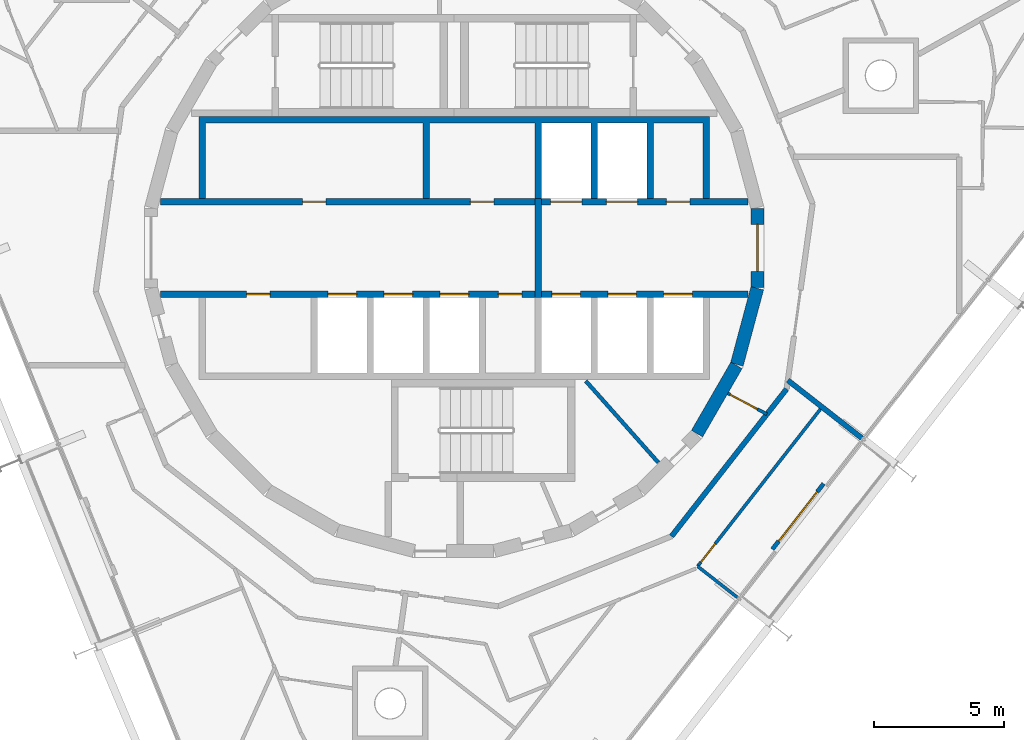
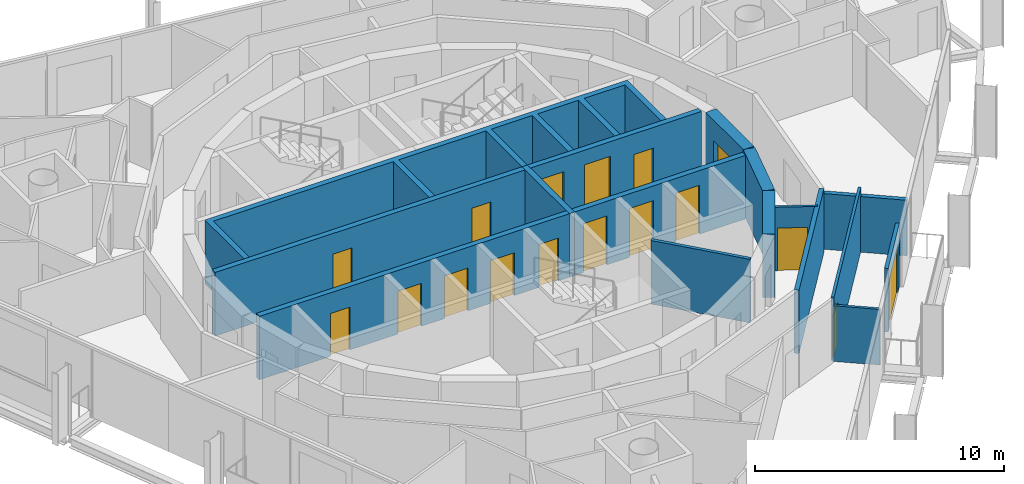
# One storey, part 11 of 15: 17 doors, 16 walls, 17 openings.
"""IFC4 building model written with IfcOpenShell, lengths in metres."""

import ifcopenshell
import ifcopenshell.guid

model = None  # the IFC model being written
_history = None  # IfcOwnerHistory: only IFC2X3 demands one
_inside = {}  # id of a spatial element -> (the spatial element, [elements in it])
_under = {}  # id of a project, library or spatial element -> (it, [spatial elements below it])
_declared = {}  # id of a project -> (the project, [libraries it declares])
_typed = {}  # id of a type object -> (the type object, [elements of that type])
_made_of = {}  # id of a material, layer set ... -> (it, [elements and type objects made of it])


def new_model(schema):
    """Start an empty IFC model of exactly this schema.

    Asked for "IFC4X3", IfcOpenShell would pick the latest addendum, in which some entities
    have other attributes; the version numbers below select the first issue.
    IFC2X3 requires an IfcOwnerHistory on every rooted entity: one is made here for all.
    """
    global model, _history
    if schema == "IFC4X3":
        model = ifcopenshell.file(schema_version=(4, 3, 0, 0))
    else:
        model = ifcopenshell.file(schema=schema)
    _inside.clear()
    _under.clear()
    _declared.clear()
    _typed.clear()
    _made_of.clear()
    _history = None
    if model.schema == "IFC2X3":
        org = make("IfcOrganization", Name="unknown")
        user = make(
            "IfcPersonAndOrganization",
            ThePerson=make("IfcPerson", FamilyName="unknown"),
            TheOrganization=org,
        )
        app = make(
            "IfcApplication",
            ApplicationDeveloper=org,
            Version="unknown",
            ApplicationFullName="unknown",
            ApplicationIdentifier="unknown",
        )
        _history = make(
            "IfcOwnerHistory",
            OwningUser=user,
            OwningApplication=app,
            ChangeAction="ADDED",
            CreationDate=0,
        )
    return model


def make(cls, **values):
    """One entity of the class cls with the attributes given. An attribute that is None is left unset."""
    return model.create_entity(
        cls, **{name: value for name, value in values.items() if value is not None}
    )


def rooted(cls, **values):
    """An entity with a GlobalId (a new one), such as an element, a storey or a relation."""
    return make(cls, GlobalId=ifcopenshell.guid.new(), OwnerHistory=_history, **values)


def si_unit(unit_type, name, prefix=None):
    """IfcSIUnit, for example si_unit("LENGTHUNIT", "METRE", prefix="MILLI")."""
    return make("IfcSIUnit", UnitType=unit_type, Prefix=prefix, Name=name)


def assignment(units):
    """IfcUnitAssignment: the units of a project."""
    return None if units is None else make("IfcUnitAssignment", Units=units)


def point(xyz):
    """IfcCartesianPoint."""
    return None if xyz is None else make("IfcCartesianPoint", Coordinates=xyz)


def direction(xyz):
    """IfcDirection."""
    return None if xyz is None else make("IfcDirection", DirectionRatios=xyz)


def frame(location, z_axis=None, x_axis=None):
    """IfcAxis2Placement3D, a coordinate frame: its origin and axes. An axis left out is left unset."""
    return make(
        "IfcAxis2Placement3D",
        Location=point(location),
        Axis=direction(z_axis),
        RefDirection=direction(x_axis),
    )


def frame_2d(location, x_axis=None):
    """IfcAxis2Placement2D, a coordinate frame in the plane: its origin and x axis."""
    return make(
        "IfcAxis2Placement2D", Location=point(location), RefDirection=direction(x_axis)
    )


def origin():
    """The frame at (0, 0, 0) with its axes left unset."""
    return frame((0.0, 0.0, 0.0))


def place(relative_to, where):
    """IfcLocalPlacement: puts the frame where relative to a parent placement (None: the world)."""
    return make(
        "IfcLocalPlacement", PlacementRelTo=relative_to, RelativePlacement=where
    )


def context(
    kind, dimensions, precision=None, world=None, true_north=None, identifier=None
):
    """IfcGeometricRepresentationContext, for example the 3D "Model" context."""
    return make(
        "IfcGeometricRepresentationContext",
        ContextIdentifier=identifier,
        ContextType=kind,
        CoordinateSpaceDimension=dimensions,
        Precision=precision,
        WorldCoordinateSystem=world,
        TrueNorth=true_north,
    )


def subcontext(parent, identifier, kind, view, scale=None):
    """IfcGeometricRepresentationSubContext, for example "Body" below "Model"."""
    return make(
        "IfcGeometricRepresentationSubContext",
        ContextIdentifier=identifier,
        ContextType=kind,
        ParentContext=parent,
        TargetScale=scale,
        TargetView=view,
    )


def project(units=None, contexts=None):
    """IfcProject with its units and contexts."""
    return rooted(
        "IfcProject",
        Name="project",
        RepresentationContexts=contexts,
        UnitsInContext=assignment(units),
    )


def spatial(cls, under=None, at=None, **own):
    """A site, building, storey or space (cls), placed at a placement, below another one or the project."""
    s = rooted(cls, ObjectPlacement=at, **own)
    if under is not None:
        _under.setdefault(under.id(), (under, []))[1].append(s)
    return s


def polyline(points):
    """IfcPolyline through the points."""
    return make("IfcPolyline", Points=[point(p) for p in points])


def profile(cls, at=None, kind="AREA", **sizes):
    """A parametric profile (cls). Its sizes go by their IFC names, for example OverallWidth=200.0."""
    return make(cls, ProfileType=kind, Position=at, **sizes)


def rectangle(**sizes):
    """IfcRectangleProfileDef."""
    return profile("IfcRectangleProfileDef", **sizes)


def outline(outer, holes=None, kind="AREA"):
    """IfcArbitraryClosedProfileDef: a profile drawn as a closed curve; with holes, ...WithVoids."""
    if holes is None:
        return make("IfcArbitraryClosedProfileDef", ProfileType=kind, OuterCurve=outer)
    return make(
        "IfcArbitraryProfileDefWithVoids",
        ProfileType=kind,
        OuterCurve=outer,
        InnerCurves=holes,
    )


def extrude(swept, where, along, depth):
    """IfcExtrudedAreaSolid: the profile swept, set in the frame where, extruded along a direction by depth."""
    return make(
        "IfcExtrudedAreaSolid",
        SweptArea=swept,
        Position=where,
        ExtrudedDirection=direction(along),
        Depth=depth,
    )


def shape(context_of_items, identifier, shape_type, items):
    """IfcShapeRepresentation: the items that make up one representation, for example the "Body"."""
    return make(
        "IfcShapeRepresentation",
        ContextOfItems=context_of_items,
        RepresentationIdentifier=identifier,
        RepresentationType=shape_type,
        Items=items,
    )


def material(Name=None, Category=None):
    """IfcMaterial."""
    return make("IfcMaterial", Name=Name, Category=Category)


def layer(
    of_material, thickness, ventilated=None, Name=None, Category=None, Priority=None
):
    """IfcMaterialLayer: one layer of a wall or slab, of a material (None: an air gap)."""
    return make(
        "IfcMaterialLayer",
        Material=of_material,
        LayerThickness=thickness,
        IsVentilated=ventilated,
        Name=Name,
        Category=Category,
        Priority=Priority,
    )


def layer_set(layers, Name=None):
    """IfcMaterialLayerSet."""
    return make("IfcMaterialLayerSet", MaterialLayers=layers, LayerSetName=Name)


def made_of(thing, what):
    """Note that an element or type object is made of a material, layer set ...; save() writes the relation."""
    if what is not None:
        _made_of.setdefault(what.id(), (what, []))[1].append(thing)
    return thing


def type_object(cls, material=None, **own):
    """A type object (cls), such as IfcWallType, which elements share."""
    return made_of(rooted(cls, **own), material)


def element(
    cls,
    number,
    at=None,
    inside=None,
    cuts=None,
    type_object=None,
    material=None,
    context=None,
    identifier="Body",
    shape_type=None,
    held_by="IfcProductDefinitionShape",
    body=None,
    shapes=None,
    **own,
):
    """One element of the class cls, such as IfcWall. Its Tag is "e" and its number.

    at: its placement. inside: the storey or other place that contains it. cuts: it is an
    opening in that element (IfcRelVoidsElement). A single representation is given by context,
    identifier, shape_type and body (its items); several are given by shapes. held_by: the class
    of the entity that holds the representations. save() writes the other relations.
    """
    e = rooted(cls, Tag="e%d" % number, ObjectPlacement=at, **own)
    if body is not None:
        shapes = [shape(context, identifier, shape_type, body)]
    if shapes is not None:
        e.Representation = make(held_by, Representations=shapes)
    if inside is not None:
        _inside.setdefault(inside.id(), (inside, []))[1].append(e)
    if cuts is not None:
        rooted(
            "IfcRelVoidsElement", RelatingBuildingElement=cuts, RelatedOpeningElement=e
        )
    if type_object is not None:
        _typed.setdefault(type_object.id(), (type_object, []))[1].append(e)
    return made_of(e, material)


def fill(opening, filler):
    """IfcRelFillsElement: the door or window that sits in an opening."""
    return rooted(
        "IfcRelFillsElement",
        RelatingOpeningElement=opening,
        RelatedBuildingElement=filler,
    )


def aggregate(whole, parts):
    """IfcRelAggregates: a whole, such as a stair, and the parts it consists of."""
    return rooted("IfcRelAggregates", RelatingObject=whole, RelatedObjects=parts)


def save(model, path):
    """Write the relations noted so far, then the file.

    IfcRelAggregates (storeys below a building ...), IfcRelContainedInSpatialStructure (elements
    in a storey), IfcRelDefinesByType, IfcRelAssociatesMaterial and IfcRelDeclares: one each for
    every whole, place, type object, material and project.
    """
    for whole, parts in _under.values():
        aggregate(whole, parts)
    for where, things in _inside.values():
        rooted(
            "IfcRelContainedInSpatialStructure",
            RelatedElements=things,
            RelatingStructure=where,
        )
    for kind, things in _typed.values():
        rooted("IfcRelDefinesByType", RelatedObjects=things, RelatingType=kind)
    for what, things in _made_of.values():
        rooted("IfcRelAssociatesMaterial", RelatedObjects=things, RelatingMaterial=what)
    for by, libraries in _declared.values():
        rooted("IfcRelDeclares", RelatingContext=by, RelatedDefinitions=libraries)
    model.write(path)


model = new_model("IFC4")

# Units and contexts
model_context = context("Model", 3, precision=1e-05, world=origin(), true_north=direction((0.0, 1.0)))
body_context = subcontext(model_context, "Body", "Model", "MODEL_VIEW")
ifc_project = project(units=[si_unit("LENGTHUNIT", "METRE"), si_unit("AREAUNIT", "SQUARE_METRE"), si_unit("VOLUMEUNIT", "CUBIC_METRE"), si_unit("PLANEANGLEUNIT", "RADIAN"), si_unit("MASSUNIT", "GRAM", prefix="KILO")], contexts=[model_context])

# Site, building, storey
site_placement = place(None, origin())
site = spatial("IfcSite", under=ifc_project, at=site_placement, CompositionType="ELEMENT")
building_placement = place(site_placement, origin())
building = spatial("IfcBuilding", under=site, at=building_placement, Name="Spindle Arch Residences", CompositionType="ELEMENT")
storey_placement = place(building_placement, frame((0.0, 0.0, 350.5)))
storey = spatial("IfcBuildingStorey", under=building, at=storey_placement, Name="L90", CompositionType="ELEMENT", Elevation=350.5)

# Walls
ifc_material_1 = material(Name="Concrete C50/60", Category="concrete")
ifc_layer_1 = layer(ifc_material_1, 0.5)
ifc_layer_set_1 = layer_set([ifc_layer_1], Name="Core outline wall 500")
wall_type_1 = type_object("IfcWallType", Name="Core outline wall 500", PredefinedType="SHEAR", material=ifc_layer_set_1)
for number, where, z_axis, x_axis, name in (
    (1, (9.32861328125, -7.13671875, 0.0), (0.0, 0.0, 1.0), (0.500087131594, 0.865975092491, 0.0), "Core outline wall 4"),
    (2, (10.858154296875, -4.479248046875, 0.0), (0.0, 0.0, 1.0), (0.258734743916, 0.965948410781, 0.0), "Core outline wall 5"),
):
    element("IfcWall", number, at=place(storey_placement, frame(where, z_axis=z_axis, x_axis=x_axis)), inside=storey, type_object=wall_type_1, Name=name, PredefinedType="SHEAR", context=body_context, shape_type="SweptSolid", body=[
        extrude(rectangle(XDim=3.03271484375, YDim=0.5, at=frame_2d((1.516357421875, 0.0))), origin(), (0.0, 0.0, 1.0), 3.1201171875),
    ])

# Wall, opening, door
wall_1_placement = place(storey_placement, frame((11.647216796875, -1.516357421875, 0.0), z_axis=(0.0, 0.0, 1.0), x_axis=(0.0, 1.0, 0.0)))
wall_1 = element("IfcWall", 3, at=wall_1_placement, inside=storey, type_object=wall_type_1, Name="Core outline wall 6", PredefinedType="SHEAR", context=body_context, shape_type="SweptSolid", body=[
    extrude(rectangle(XDim=3.03271484375, YDim=0.5, at=frame_2d((1.516357421875, 0.0))), origin(), (0.0, 0.0, 1.0), 3.1201171875),
])
opening_1_placement = place(wall_1_placement, frame((0.6162109375, 0.0, 0.0)))
opening_1 = element("IfcOpeningElement", 4, at=opening_1_placement, cuts=wall_1, Name="Opening R9B1-FE01", PredefinedType="OPENING", context=body_context, shape_type="SweptSolid", body=[
    extrude(rectangle(XDim=1.800048828125, YDim=2.10009765625, at=frame_2d((0.89990234375, 1.050048828125))), frame((0.0, 0.260009765625, 0.0), z_axis=(0.0, -1.0, 0.0), x_axis=(1.0, 0.0, 0.0)), (0.0, 0.0, 1.0), 0.52001953125),
])
ifc_material_2 = material(Name="Steel, fire-resisting door", Category="steel")
door_type_1 = type_object("IfcDoorType", Name="Fire-lift lobby door 1800x2100", OperationType="DOUBLE_DOOR_SINGLE_SWING", PredefinedType="DOOR", material=ifc_material_2)
door_1_placement = place(opening_1_placement, origin())
door_1 = element("IfcDoor", 5, at=door_1_placement, inside=storey, type_object=door_type_1, Name="Fire-lift lobby door R9B1-FE01", OperationType="DOUBLE_DOOR_SINGLE_SWING", OverallHeight=2.10009765625, OverallWidth=1.800048828125, PredefinedType="DOOR", context=body_context, shape_type="SweptSolid", body=[
    extrude(rectangle(XDim=1.800048828125, YDim=2.10009765625, at=frame_2d((0.89990234375, 1.050048828125))), frame((0.0, 0.02490234375, 0.0), z_axis=(0.0, -1.0, 0.0), x_axis=(1.0, 0.0, 0.0)), (0.0, 0.0, 1.0), 0.050048828125),
])
fill(opening_1, door_1)

ifc_material_3 = material(Name="Plasterboard on steel studs", Category="steel")
ifc_layer_2 = layer(ifc_material_3, 0.1201171875)
ifc_layer_set_2 = layer_set([ifc_layer_2], Name="Corridor division wall 120")
wall_type_2 = type_object("IfcWallType", Name="Corridor division wall 120", PredefinedType="PARTITIONING", material=ifc_layer_set_2)
wall_2_placement = place(storey_placement, frame((10.510986328125, -5.5888671875, 0.0), z_axis=(0.0, 0.0, 1.0), x_axis=(0.882959677414, -0.469448834337, 0.0)))
wall_2 = element("IfcWall", 6, at=wall_2_placement, inside=storey, type_object=wall_type_2, Name="Corridor division wall R9B1-W002", PredefinedType="PARTITIONING", context=body_context, shape_type="SweptSolid", body=[
    extrude(rectangle(XDim=1.7021484375, YDim=0.1201171875, at=frame_2d((0.85107421875, 0.0))), origin(), (0.0, 0.0, 1.0), 3.1201171875),
])
opening_2_placement = place(wall_2_placement, frame((0.10009765625, 0.0, 0.0)))
opening_2 = element("IfcOpeningElement", 7, at=opening_2_placement, cuts=wall_2, Name="Opening R9B1-CD02", PredefinedType="OPENING", context=body_context, shape_type="SweptSolid", body=[
    extrude(rectangle(XDim=1.199951171875, YDim=2.10009765625, at=frame_2d((0.60009765625, 1.050048828125))), frame((0.0, 0.070068359375, 0.0), z_axis=(0.0, -1.0, 0.0), x_axis=(1.0, 0.0, 0.0)), (0.0, 0.0, 1.0), 0.14013671875),
])
ifc_material_4 = material(Name="Steel, fire-resisting door", Category="steel")
door_type_2 = type_object("IfcDoorType", Name="Corridor division door 1200x2100", OperationType="NOTDEFINED", PredefinedType="DOOR", material=ifc_material_4)
door_2_placement = place(opening_2_placement, origin())
door_2 = element("IfcDoor", 8, at=door_2_placement, inside=storey, type_object=door_type_2, Name="Corridor division door R9B1-CD02", OperationType="DOUBLE_DOOR_SINGLE_SWING", OverallHeight=2.10009765625, OverallWidth=1.199951171875, PredefinedType="DOOR", context=body_context, shape_type="SweptSolid", body=[
    extrude(rectangle(XDim=1.199951171875, YDim=2.10009765625, at=frame_2d((0.60009765625, 1.050048828125))), frame((0.0, 0.02490234375, 0.0), z_axis=(0.0, -1.0, 0.0), x_axis=(1.0, 0.0, 0.0)), (0.0, 0.0, 1.0), 0.050048828125),
])
fill(opening_2, door_2)

# Walls
ifc_material_5 = material(Name="Calcium silicate block, plastered")
ifc_layer_3 = layer(ifc_material_5, 0.199951171875)
ifc_layer_set_3 = layer_set([ifc_layer_3], Name="Corridor wall 200")
wall_type_3 = type_object("IfcWallType", Name="Corridor wall 200", PredefinedType="STANDARD", material=ifc_layer_set_3)
wall_3_placement = place(storey_placement, frame((8.348876953125, -11.0791015625, 0.0), z_axis=(0.0, 0.0, 1.0), x_axis=(0.615669112324, 0.78800478687, 0.0)))
element("IfcWall", 9, at=wall_3_placement, inside=storey, type_object=wall_type_3, Name="Corridor wall R9B1-W008", PredefinedType="STANDARD", context=body_context, shape_type="SweptSolid", body=[
    extrude(rectangle(XDim=7.18115234375, YDim=0.199951171875, at=frame_2d((3.590576171875, 0.0))), origin(), (0.0, 0.0, 1.0), 3.1201171875),
])
ifc_material_6 = material(Name="Calcium silicate block, plastered")
ifc_layer_4 = layer(ifc_material_6, 0.199951171875)
ifc_layer_set_4 = layer_set([ifc_layer_4], Name="Fire-lift lobby bay wall 200 under beam 2730")
wall_type_4 = type_object("IfcWallType", Name="Fire-lift lobby bay wall 200 under beam 2730", PredefinedType="STANDARD", material=ifc_layer_set_4)
wall_4_placement = place(storey_placement, frame((12.81689453125, -5.086181640625, 0.0), z_axis=(0.0, 0.0, 1.0), x_axis=(0.787994616725, -0.615682129034, 0.0)))
element("IfcWall", 10, at=wall_4_placement, inside=storey, type_object=wall_type_4, Name="Fire-lift lobby bay wall R9B1-W021", PredefinedType="STANDARD", context=body_context, shape_type="SweptSolid", body=[
    extrude(rectangle(XDim=3.607177734375, YDim=0.199951171875, at=frame_2d((1.8037109375, 0.0))), origin(), (0.0, 0.0, 1.0), 2.72998046875),
])

# Wall, openings, doors
ifc_material_7 = material(Name="Concrete C40/50", Category="concrete")
ifc_layer_5 = layer(ifc_material_7, 0.25)
ifc_layer_set_5 = layer_set([ifc_layer_5], Name="Fire-lift lobby wall 250")
wall_type_5 = type_object("IfcWallType", Name="Fire-lift lobby wall 250", PredefinedType="SHEAR", material=ifc_layer_set_5)
wall_5_placement = place(storey_placement, frame((3.35009765625, 1.77490234375, 0.0), z_axis=(0.0, 0.0, 1.0), x_axis=(1.0, 0.0, 0.0)))
wall_5 = element("IfcWall", 11, at=wall_5_placement, inside=storey, type_object=wall_type_5, Name="Lift shaft front wall NE", PredefinedType="SHEAR", context=body_context, shape_type="SweptSolid", body=[
    extrude(rectangle(XDim=7.929931640625, YDim=0.25, at=frame_2d((3.96484375, 0.0))), origin(), (0.0, 0.0, 1.0), 3.1201171875),
])
opening_3_placement = place(wall_5_placement, frame((0.35009765625, 0.0, 0.0)))
opening_3 = element("IfcOpeningElement", 12, at=opening_3_placement, cuts=wall_5, Name="Opening R9B1-SLD01", PredefinedType="OPENING", context=body_context, shape_type="SweptSolid", body=[
    extrude(rectangle(XDim=1.199951171875, YDim=2.39990234375, at=frame_2d((0.60009765625, 1.199951171875))), frame((0.0, 0.135009765625, 0.0), z_axis=(0.0, -1.0, 0.0), x_axis=(1.0, 0.0, 0.0)), (0.0, 0.0, 1.0), 0.27001953125),
])
opening_4_placement = place(wall_5_placement, frame((2.5, 0.0, 0.0)))
opening_4 = element("IfcOpeningElement", 13, at=opening_4_placement, cuts=wall_5, Name="Opening R9B1-SLD02", PredefinedType="OPENING", context=body_context, shape_type="SweptSolid", body=[
    extrude(rectangle(XDim=1.199951171875, YDim=2.39990234375, at=frame_2d((0.60009765625, 1.199951171875))), frame((0.0, 0.135009765625, 0.0), z_axis=(0.0, -1.0, 0.0), x_axis=(1.0, 0.0, 0.0)), (0.0, 0.0, 1.0), 0.27001953125),
])
opening_5_placement = place(wall_5_placement, frame((4.800048828125, 0.0, 0.0)))
opening_5 = element("IfcOpeningElement", 14, at=opening_5_placement, cuts=wall_5, Name="Opening R9B1-WD03", PredefinedType="OPENING", context=body_context, shape_type="SweptSolid", body=[
    extrude(rectangle(XDim=0.89990234375, YDim=2.10009765625, at=frame_2d((0.449951171875, 1.050048828125))), frame((0.0, 0.135009765625, 0.0), z_axis=(0.0, -1.0, 0.0), x_axis=(1.0, 0.0, 0.0)), (0.0, 0.0, 1.0), 0.27001953125),
])
ifc_material_8 = material(Name="Steel, fire-resisting landing door", Category="steel")
door_type_3 = type_object("IfcDoorType", Name="Service lift landing door 1200x2400", OperationType="DOUBLE_DOOR_SLIDING", PredefinedType="DOOR", material=ifc_material_8)
door_3_placement = place(opening_3_placement, origin())
door_3 = element("IfcDoor", 15, at=door_3_placement, inside=storey, type_object=door_type_3, Name="Service lift landing door R9B1-SLD01", OperationType="DOUBLE_DOOR_SLIDING", OverallHeight=2.39990234375, OverallWidth=1.199951171875, PredefinedType="DOOR", context=body_context, shape_type="SweptSolid", body=[
    extrude(rectangle(XDim=1.199951171875, YDim=2.39990234375, at=frame_2d((0.60009765625, 1.199951171875))), frame((0.0, 0.02490234375, 0.0), z_axis=(0.0, -1.0, 0.0), x_axis=(1.0, 0.0, 0.0)), (0.0, 0.0, 1.0), 0.050048828125),
])
fill(opening_3, door_3)
door_4_placement = place(opening_4_placement, origin())
door_4 = element("IfcDoor", 16, at=door_4_placement, inside=storey, type_object=door_type_3, Name="Service lift landing door R9B1-SLD02", OperationType="DOUBLE_DOOR_SLIDING", OverallHeight=2.39990234375, OverallWidth=1.199951171875, PredefinedType="DOOR", context=body_context, shape_type="SweptSolid", body=[
    extrude(rectangle(XDim=1.199951171875, YDim=2.39990234375, at=frame_2d((0.60009765625, 1.199951171875))), frame((0.0, 0.02490234375, 0.0), z_axis=(0.0, -1.0, 0.0), x_axis=(1.0, 0.0, 0.0)), (0.0, 0.0, 1.0), 0.050048828125),
])
fill(opening_4, door_4)
ifc_material_9 = material(Name="Steel, fire-resisting door", Category="steel")
door_type_4 = type_object("IfcDoorType", Name="Service room door 900x2100", OperationType="SINGLE_SWING_LEFT", PredefinedType="DOOR", material=ifc_material_9)
door_5_placement = place(opening_5_placement, origin())
door_5 = element("IfcDoor", 17, at=door_5_placement, inside=storey, type_object=door_type_4, Name="Service room door R9B1-WD03", OperationType="SINGLE_SWING_LEFT", OverallHeight=2.10009765625, OverallWidth=0.89990234375, PredefinedType="DOOR", context=body_context, shape_type="SweptSolid", body=[
    extrude(rectangle(XDim=0.89990234375, YDim=2.10009765625, at=frame_2d((0.449951171875, 1.050048828125))), frame((0.0, 0.02490234375, 0.0), z_axis=(0.0, -1.0, 0.0), x_axis=(1.0, 0.0, 0.0)), (0.0, 0.0, 1.0), 0.050048828125),
])
fill(opening_5, door_5)

# Wall
wall_6_placement = place(storey_placement, frame((3.22509765625, -1.89990234375, 0.0), z_axis=(0.0, 0.0, 1.0), x_axis=(0.0, 1.0, 0.0)))
element("IfcWall", 18, at=wall_6_placement, inside=storey, type_object=wall_type_5, Name="Fire-fighting lobby partition", PredefinedType="SHEAR", context=body_context, shape_type="SweptSolid", body=[
    extrude(rectangle(XDim=3.7998046875, YDim=0.25, at=frame_2d((1.89990234375, 0.0))), origin(), (0.0, 0.0, 1.0), 3.1201171875),
])

# Wall, openings, doors
ifc_material_10 = material(Name="Concrete C50/60", Category="concrete")
ifc_layer_6 = layer(ifc_material_10, 0.25)
ifc_layer_set_6 = layer_set([ifc_layer_6], Name="Fire-lift shaft wall 250")
wall_type_6 = type_object("IfcWallType", Name="Fire-lift shaft wall 250", PredefinedType="SHEAR", material=ifc_layer_set_6)
wall_7_placement = place(storey_placement, frame((3.35009765625, -1.77490234375, 0.0), z_axis=(0.0, 0.0, 1.0), x_axis=(1.0, 0.0, 0.0)))
wall_7 = element("IfcWall", 19, at=wall_7_placement, inside=storey, type_object=wall_type_6, Name="Lift shaft front wall SE", PredefinedType="SHEAR", context=body_context, shape_type="SweptSolid", body=[
    extrude(rectangle(XDim=7.929931640625, YDim=0.25, at=frame_2d((3.96484375, 0.0))), origin(), (0.0, 0.0, 1.0), 3.1201171875),
])
opening_6_placement = place(wall_7_placement, frame((0.39990234375, 0.0, 0.0)))
opening_6 = element("IfcOpeningElement", 20, at=opening_6_placement, cuts=wall_7, Name="Opening R9B1-FLD01", PredefinedType="OPENING", context=body_context, shape_type="SweptSolid", body=[
    extrude(rectangle(XDim=1.10009765625, YDim=2.39990234375, at=frame_2d((0.550048828125, 1.199951171875))), frame((0.0, 0.135009765625, 0.0), z_axis=(0.0, -1.0, 0.0), x_axis=(1.0, 0.0, 0.0)), (0.0, 0.0, 1.0), 0.27001953125),
])
opening_7_placement = place(wall_7_placement, frame((2.550048828125, 0.0, 0.0)))
opening_7 = element("IfcOpeningElement", 21, at=opening_7_placement, cuts=wall_7, Name="Opening R9B1-FLD02", PredefinedType="OPENING", context=body_context, shape_type="SweptSolid", body=[
    extrude(rectangle(XDim=1.10009765625, YDim=2.39990234375, at=frame_2d((0.550048828125, 1.199951171875))), frame((0.0, 0.135009765625, 0.0), z_axis=(0.0, -1.0, 0.0), x_axis=(1.0, 0.0, 0.0)), (0.0, 0.0, 1.0), 0.27001953125),
])
opening_8_placement = place(wall_7_placement, frame((4.699951171875, 0.0, 0.0)))
opening_8 = element("IfcOpeningElement", 22, at=opening_8_placement, cuts=wall_7, Name="Opening R9B1-FLD03", PredefinedType="OPENING", context=body_context, shape_type="SweptSolid", body=[
    extrude(rectangle(XDim=1.10009765625, YDim=2.39990234375, at=frame_2d((0.550048828125, 1.199951171875))), frame((0.0, 0.135009765625, 0.0), z_axis=(0.0, -1.0, 0.0), x_axis=(1.0, 0.0, 0.0)), (0.0, 0.0, 1.0), 0.27001953125),
])
ifc_material_11 = material(Name="Steel, fire-resisting landing door", Category="steel")
door_type_5 = type_object("IfcDoorType", Name="Fire-fighting lift landing door 1100x2400", OperationType="DOUBLE_DOOR_SLIDING", PredefinedType="DOOR", material=ifc_material_11)
door_6_placement = place(opening_6_placement, origin())
door_6 = element("IfcDoor", 23, at=door_6_placement, inside=storey, type_object=door_type_5, Name="Fire-fighting lift landing door R9B1-FLD01", OperationType="DOUBLE_DOOR_SLIDING", OverallHeight=2.39990234375, OverallWidth=1.10009765625, PredefinedType="DOOR", context=body_context, shape_type="SweptSolid", body=[
    extrude(rectangle(XDim=1.10009765625, YDim=2.39990234375, at=frame_2d((0.550048828125, 1.199951171875))), frame((0.0, 0.02490234375, 0.0), z_axis=(0.0, -1.0, 0.0), x_axis=(1.0, 0.0, 0.0)), (0.0, 0.0, 1.0), 0.050048828125),
])
fill(opening_6, door_6)
door_7_placement = place(opening_7_placement, origin())
door_7 = element("IfcDoor", 24, at=door_7_placement, inside=storey, type_object=door_type_5, Name="Fire-fighting lift landing door R9B1-FLD02", OperationType="DOUBLE_DOOR_SLIDING", OverallHeight=2.39990234375, OverallWidth=1.10009765625, PredefinedType="DOOR", context=body_context, shape_type="SweptSolid", body=[
    extrude(rectangle(XDim=1.10009765625, YDim=2.39990234375, at=frame_2d((0.550048828125, 1.199951171875))), frame((0.0, 0.02490234375, 0.0), z_axis=(0.0, -1.0, 0.0), x_axis=(1.0, 0.0, 0.0)), (0.0, 0.0, 1.0), 0.050048828125),
])
fill(opening_7, door_7)
door_8_placement = place(opening_8_placement, origin())
door_8 = element("IfcDoor", 25, at=door_8_placement, inside=storey, type_object=door_type_5, Name="Fire-fighting lift landing door R9B1-FLD03", OperationType="DOUBLE_DOOR_SLIDING", OverallHeight=2.39990234375, OverallWidth=1.10009765625, PredefinedType="DOOR", context=body_context, shape_type="SweptSolid", body=[
    extrude(rectangle(XDim=1.10009765625, YDim=2.39990234375, at=frame_2d((0.550048828125, 1.199951171875))), frame((0.0, 0.02490234375, 0.0), z_axis=(0.0, -1.0, 0.0), x_axis=(1.0, 0.0, 0.0)), (0.0, 0.0, 1.0), 0.050048828125),
])
fill(opening_8, door_8)

# Wall, opening, door
ifc_material_12 = material(Name="Plasterboard on steel studs", Category="steel")
ifc_layer_7 = layer(ifc_material_12, 0.1201171875)
ifc_layer_set_7 = layer_set([ifc_layer_7], Name="Flat partition 120")
wall_type_7 = type_object("IfcWallType", Name="Flat partition 120", PredefinedType="PARTITIONING", material=ifc_layer_set_7)
wall_8_placement = place(storey_placement, frame((9.350830078125, -12.23291015625, 0.0), z_axis=(0.0, 0.0, 1.0), x_axis=(0.615678207218, 0.787997680933, 0.0)))
wall_8 = element("IfcWall", 26, at=wall_8_placement, inside=storey, type_object=wall_type_7, Name="Flat partition R9B1-W088", PredefinedType="PARTITIONING", context=body_context, shape_type="SweptSolid", body=[
    extrude(rectangle(XDim=7.765380859375, YDim=0.1201171875, at=frame_2d((3.8828125, 0.0))), origin(), (0.0, 0.0, 1.0), 3.1201171875),
])
opening_9_placement = place(wall_8_placement, frame((0.199951171875, 0.0, 0.0)))
opening_9 = element("IfcOpeningElement", 27, at=opening_9_placement, cuts=wall_8, Name="Opening R9B1-ID20", PredefinedType="OPENING", context=body_context, shape_type="SweptSolid", body=[
    extrude(rectangle(XDim=0.89990234375, YDim=2.10009765625, at=frame_2d((0.449951171875, 1.050048828125))), frame((0.0, 0.070068359375, 0.0), z_axis=(0.0, -1.0, 0.0), x_axis=(1.0, 0.0, 0.0)), (0.0, 0.0, 1.0), 0.14013671875),
])
ifc_material_13 = material(Name="Timber door set", Category="wood")
door_type_6 = type_object("IfcDoorType", Name="Room door 900x2100", OperationType="NOTDEFINED", PredefinedType="DOOR", material=ifc_material_13)
door_9_placement = place(opening_9_placement, origin())
door_9 = element("IfcDoor", 28, at=door_9_placement, inside=storey, type_object=door_type_6, Name="Room door R9B1-ID20", OperationType="SINGLE_SWING_LEFT", OverallHeight=2.10009765625, OverallWidth=0.89990234375, PredefinedType="DOOR", context=body_context, shape_type="SweptSolid", body=[
    extrude(rectangle(XDim=0.89990234375, YDim=2.10009765625, at=frame_2d((0.449951171875, 1.050048828125))), frame((0.0, 0.02490234375, 0.0), z_axis=(0.0, -1.0, 0.0), x_axis=(1.0, 0.0, 0.0)), (0.0, 0.0, 1.0), 0.050048828125),
])
fill(opening_9, door_9)

# Wall
ifc_material_14 = material(Name="Plasterboard on steel studs", Category="steel")
ifc_layer_8 = layer(ifc_material_14, 0.1201171875)
ifc_layer_set_8 = layer_set([ifc_layer_8], Name="Flat partition 120 under beam 2730")
wall_type_8 = type_object("IfcWallType", Name="Flat partition 120 under beam 2730", PredefinedType="PARTITIONING", material=ifc_layer_set_8)
wall_9_placement = place(storey_placement, frame((10.87841796875, -13.426513671875, 0.0), z_axis=(0.0, 0.0, 1.0), x_axis=(-0.787980458379, 0.615700249483, 0.0)))
element("IfcWall", 29, at=wall_9_placement, inside=storey, type_object=wall_type_8, Name="Flat partition R9B1-W097", PredefinedType="PARTITIONING", context=body_context, shape_type="SweptSolid", body=[
    extrude(rectangle(XDim=1.938720703125, YDim=0.1201171875, at=frame_2d((0.96923828125, 0.0))), origin(), (0.0, 0.0, 1.0), 2.72998046875),
])

# Wall, opening, door
ifc_material_15 = material(Name="Non-combustible mineral wool insulated aluminium faced external wall (K0)", Category="aluminium")
ifc_layer_9 = layer(ifc_material_15, 0.159912109375)
ifc_layer_set_9 = layer_set([ifc_layer_9], Name="Insulated external wall panel 160")
wall_type_9 = type_object("IfcWallType", Name="Insulated external wall panel 160", PredefinedType="STANDARD", material=ifc_layer_set_9)
wall_10_placement = place(storey_placement, frame((12.220703125, -11.578369140625, 0.0), z_axis=(0.0, 0.0, 1.0), x_axis=(0.615666248856, 0.788007024093, 0.0)))
wall_10 = element("IfcWall", 30, at=wall_10_placement, inside=storey, type_object=wall_type_9, Name="External wall L90 bay 20", PredefinedType="STANDARD", context=body_context, shape_type="SweptSolid", body=[
    extrude(rectangle(XDim=3.2001953125, YDim=0.159912109375, at=frame_2d((1.60009765625, 0.0))), origin(), (0.0, 0.0, 1.0), 3.1201171875),
])
opening_10_placement = place(wall_10_placement, frame((0.39990234375, 0.0, 0.0)))
opening_10 = element("IfcOpeningElement", 31, at=opening_10_placement, cuts=wall_10, Name="Opening BD20", PredefinedType="OPENING", context=body_context, shape_type="SweptSolid", body=[
    extrude(rectangle(XDim=2.39990234375, YDim=2.39990234375, at=frame_2d((1.199951171875, 1.199951171875))), frame((0.0, 0.08984375, 0.0), z_axis=(0.0, -1.0, 0.0), x_axis=(1.0, 0.0, 0.0)), (0.0, 0.0, 1.0), 0.179931640625),
])
ifc_material_16 = material(Name="Bronze aluminium frame, tinted double glazing", Category="aluminium")
door_type_7 = type_object("IfcDoorType", Name="Sliding glazed balcony door 2400x2400", OperationType="DOUBLE_DOOR_SLIDING", PredefinedType="DOOR", material=ifc_material_16)
door_10_placement = place(opening_10_placement, origin())
door_10 = element("IfcDoor", 32, at=door_10_placement, inside=storey, type_object=door_type_7, Name="Balcony door BD20", OperationType="DOUBLE_DOOR_SLIDING", OverallHeight=2.39990234375, OverallWidth=2.39990234375, PredefinedType="DOOR", context=body_context, shape_type="SweptSolid", body=[
    extrude(rectangle(XDim=2.39990234375, YDim=2.39990234375, at=frame_2d((1.199951171875, 1.199951171875))), frame((0.0, 0.02490234375, 0.0), z_axis=(0.0, -1.0, 0.0), x_axis=(1.0, 0.0, 0.0)), (0.0, 0.0, 1.0), 0.050048828125),
])
fill(opening_10, door_10)

# Wall, openings, doors
ifc_material_17 = material(Name="Concrete C50/60", Category="concrete")
ifc_layer_10 = layer(ifc_material_17, 0.25)
ifc_layer_set_10 = layer_set([ifc_layer_10], Name="Lift shaft wall 250")
wall_type_10 = type_object("IfcWallType", Name="Lift shaft wall 250", PredefinedType="SHEAR", material=ifc_layer_set_10)
wall_11_placement = place(storey_placement, frame((-11.280029296875, 1.77490234375, 0.0), z_axis=(0.0, 0.0, 1.0), x_axis=(1.0, 0.0, 0.0)))
wall_11 = element("IfcWall", 33, at=wall_11_placement, inside=storey, type_object=wall_type_10, Name="Lift shaft front wall NW", PredefinedType="SHEAR", context=body_context, shape_type="SweptSolid", body=[
    extrude(rectangle(XDim=14.380126953125, YDim=0.25, at=frame_2d((7.18994140625, 0.0))), origin(), (0.0, 0.0, 1.0), 3.1201171875),
])
opening_11_placement = place(wall_11_placement, frame((5.455078125, 0.0, 0.0)))
opening_11 = element("IfcOpeningElement", 34, at=opening_11_placement, cuts=wall_11, Name="Opening R9B1-WD01", PredefinedType="OPENING", context=body_context, shape_type="SweptSolid", body=[
    extrude(rectangle(XDim=0.89990234375, YDim=2.10009765625, at=frame_2d((0.449951171875, 1.050048828125))), frame((0.0, 0.135009765625, 0.0), z_axis=(0.0, -1.0, 0.0), x_axis=(1.0, 0.0, 0.0)), (0.0, 0.0, 1.0), 0.27001953125),
])
opening_12_placement = place(wall_11_placement, frame((11.905029296875, 0.0, 0.0)))
opening_12 = element("IfcOpeningElement", 35, at=opening_12_placement, cuts=wall_11, Name="Opening R9B1-WD02", PredefinedType="OPENING", context=body_context, shape_type="SweptSolid", body=[
    extrude(rectangle(XDim=0.89990234375, YDim=2.10009765625, at=frame_2d((0.449951171875, 1.050048828125))), frame((0.0, 0.135009765625, 0.0), z_axis=(0.0, -1.0, 0.0), x_axis=(1.0, 0.0, 0.0)), (0.0, 0.0, 1.0), 0.27001953125),
])
door_11_placement = place(opening_11_placement, origin())
door_11 = element("IfcDoor", 36, at=door_11_placement, inside=storey, type_object=door_type_4, Name="Service room door R9B1-WD01", OperationType="SINGLE_SWING_LEFT", OverallHeight=2.10009765625, OverallWidth=0.89990234375, PredefinedType="DOOR", context=body_context, shape_type="SweptSolid", body=[
    extrude(rectangle(XDim=0.89990234375, YDim=2.10009765625, at=frame_2d((0.449951171875, 1.050048828125))), frame((0.0, 0.02490234375, 0.0), z_axis=(0.0, -1.0, 0.0), x_axis=(1.0, 0.0, 0.0)), (0.0, 0.0, 1.0), 0.050048828125),
])
fill(opening_11, door_11)
door_12_placement = place(opening_12_placement, origin())
door_12 = element("IfcDoor", 37, at=door_12_placement, inside=storey, type_object=door_type_4, Name="Service room door R9B1-WD02", OperationType="SINGLE_SWING_RIGHT", OverallHeight=2.10009765625, OverallWidth=0.89990234375, PredefinedType="DOOR", context=body_context, shape_type="SweptSolid", body=[
    extrude(rectangle(XDim=0.89990234375, YDim=2.10009765625, at=frame_2d((0.449951171875, 1.050048828125))), frame((0.0, 0.02490234375, 0.0), z_axis=(0.0, -1.0, 0.0), x_axis=(1.0, 0.0, 0.0)), (0.0, 0.0, 1.0), 0.050048828125),
])
fill(opening_12, door_12)

wall_12_placement = place(storey_placement, frame((-11.280029296875, -1.77490234375, 0.0), z_axis=(0.0, 0.0, 1.0), x_axis=(1.0, 0.0, 0.0)))
wall_12 = element("IfcWall", 38, at=wall_12_placement, inside=storey, type_object=wall_type_10, Name="Lift shaft front wall SW", PredefinedType="SHEAR", context=body_context, shape_type="SweptSolid", body=[
    extrude(rectangle(XDim=14.380126953125, YDim=0.25, at=frame_2d((7.18994140625, 0.0))), origin(), (0.0, 0.0, 1.0), 3.1201171875),
])
opening_13_placement = place(wall_12_placement, frame((6.429931640625, 0.0, 0.0)))
opening_13 = element("IfcOpeningElement", 39, at=opening_13_placement, cuts=wall_12, Name="Opening R9B1-LD01", PredefinedType="OPENING", context=body_context, shape_type="SweptSolid", body=[
    extrude(rectangle(XDim=1.10009765625, YDim=2.10009765625, at=frame_2d((0.550048828125, 1.050048828125))), frame((0.0, 0.135009765625, 0.0), z_axis=(0.0, -1.0, 0.0), x_axis=(1.0, 0.0, 0.0)), (0.0, 0.0, 1.0), 0.27001953125),
])
opening_14_placement = place(wall_12_placement, frame((8.580078125, 0.0, 0.0)))
opening_14 = element("IfcOpeningElement", 40, at=opening_14_placement, cuts=wall_12, Name="Opening R9B1-LD02", PredefinedType="OPENING", context=body_context, shape_type="SweptSolid", body=[
    extrude(rectangle(XDim=1.10009765625, YDim=2.10009765625, at=frame_2d((0.550048828125, 1.050048828125))), frame((0.0, 0.135009765625, 0.0), z_axis=(0.0, -1.0, 0.0), x_axis=(1.0, 0.0, 0.0)), (0.0, 0.0, 1.0), 0.27001953125),
])
opening_15_placement = place(wall_12_placement, frame((10.72998046875, 0.0, 0.0)))
opening_15 = element("IfcOpeningElement", 41, at=opening_15_placement, cuts=wall_12, Name="Opening R9B1-LD03", PredefinedType="OPENING", context=body_context, shape_type="SweptSolid", body=[
    extrude(rectangle(XDim=1.10009765625, YDim=2.10009765625, at=frame_2d((0.550048828125, 1.050048828125))), frame((0.0, 0.135009765625, 0.0), z_axis=(0.0, -1.0, 0.0), x_axis=(1.0, 0.0, 0.0)), (0.0, 0.0, 1.0), 0.27001953125),
])
opening_16_placement = place(wall_12_placement, frame((3.304931640625, 0.0, 0.0)))
opening_16 = element("IfcOpeningElement", 42, at=opening_16_placement, cuts=wall_12, Name="Opening R9B1-WD04", PredefinedType="OPENING", context=body_context, shape_type="SweptSolid", body=[
    extrude(rectangle(XDim=0.89990234375, YDim=2.10009765625, at=frame_2d((0.449951171875, 1.050048828125))), frame((0.0, 0.135009765625, 0.0), z_axis=(0.0, -1.0, 0.0), x_axis=(1.0, 0.0, 0.0)), (0.0, 0.0, 1.0), 0.27001953125),
])
opening_17_placement = place(wall_12_placement, frame((12.97998046875, 0.0, 0.0)))
opening_17 = element("IfcOpeningElement", 43, at=opening_17_placement, cuts=wall_12, Name="Opening R9B1-WD05", PredefinedType="OPENING", context=body_context, shape_type="SweptSolid", body=[
    extrude(rectangle(XDim=0.89990234375, YDim=2.10009765625, at=frame_2d((0.449951171875, 1.050048828125))), frame((0.0, 0.135009765625, 0.0), z_axis=(0.0, -1.0, 0.0), x_axis=(1.0, 0.0, 0.0)), (0.0, 0.0, 1.0), 0.27001953125),
])
ifc_material_18 = material(Name="Steel, fire-resisting landing door", Category="steel")
door_type_8 = type_object("IfcDoorType", Name="Lift landing door 1100x2100", OperationType="DOUBLE_DOOR_SLIDING", PredefinedType="DOOR", material=ifc_material_18)
door_13_placement = place(opening_13_placement, origin())
door_13 = element("IfcDoor", 44, at=door_13_placement, inside=storey, type_object=door_type_8, Name="Lift landing door R9B1-LD01", OperationType="DOUBLE_DOOR_SLIDING", OverallHeight=2.10009765625, OverallWidth=1.10009765625, PredefinedType="DOOR", context=body_context, shape_type="SweptSolid", body=[
    extrude(rectangle(XDim=1.10009765625, YDim=2.10009765625, at=frame_2d((0.550048828125, 1.050048828125))), frame((0.0, 0.02490234375, 0.0), z_axis=(0.0, -1.0, 0.0), x_axis=(1.0, 0.0, 0.0)), (0.0, 0.0, 1.0), 0.050048828125),
])
fill(opening_13, door_13)
door_14_placement = place(opening_14_placement, origin())
door_14 = element("IfcDoor", 45, at=door_14_placement, inside=storey, type_object=door_type_8, Name="Lift landing door R9B1-LD02", OperationType="DOUBLE_DOOR_SLIDING", OverallHeight=2.10009765625, OverallWidth=1.10009765625, PredefinedType="DOOR", context=body_context, shape_type="SweptSolid", body=[
    extrude(rectangle(XDim=1.10009765625, YDim=2.10009765625, at=frame_2d((0.550048828125, 1.050048828125))), frame((0.0, 0.02490234375, 0.0), z_axis=(0.0, -1.0, 0.0), x_axis=(1.0, 0.0, 0.0)), (0.0, 0.0, 1.0), 0.050048828125),
])
fill(opening_14, door_14)
door_15_placement = place(opening_15_placement, origin())
door_15 = element("IfcDoor", 46, at=door_15_placement, inside=storey, type_object=door_type_8, Name="Lift landing door R9B1-LD03", OperationType="DOUBLE_DOOR_SLIDING", OverallHeight=2.10009765625, OverallWidth=1.10009765625, PredefinedType="DOOR", context=body_context, shape_type="SweptSolid", body=[
    extrude(rectangle(XDim=1.10009765625, YDim=2.10009765625, at=frame_2d((0.550048828125, 1.050048828125))), frame((0.0, 0.02490234375, 0.0), z_axis=(0.0, -1.0, 0.0), x_axis=(1.0, 0.0, 0.0)), (0.0, 0.0, 1.0), 0.050048828125),
])
fill(opening_15, door_15)
door_16_placement = place(opening_16_placement, origin())
door_16 = element("IfcDoor", 47, at=door_16_placement, inside=storey, type_object=door_type_4, Name="Service room door R9B1-WD04", OperationType="SINGLE_SWING_RIGHT", OverallHeight=2.10009765625, OverallWidth=0.89990234375, PredefinedType="DOOR", context=body_context, shape_type="SweptSolid", body=[
    extrude(rectangle(XDim=0.89990234375, YDim=2.10009765625, at=frame_2d((0.449951171875, 1.050048828125))), frame((0.0, 0.02490234375, 0.0), z_axis=(0.0, -1.0, 0.0), x_axis=(1.0, 0.0, 0.0)), (0.0, 0.0, 1.0), 0.050048828125),
])
fill(opening_16, door_16)
door_17_placement = place(opening_17_placement, origin())
door_17 = element("IfcDoor", 48, at=door_17_placement, inside=storey, type_object=door_type_4, Name="Service room door R9B1-WD05", OperationType="SINGLE_SWING_LEFT", OverallHeight=2.10009765625, OverallWidth=0.89990234375, PredefinedType="DOOR", context=body_context, shape_type="SweptSolid", body=[
    extrude(rectangle(XDim=0.89990234375, YDim=2.10009765625, at=frame_2d((0.449951171875, 1.050048828125))), frame((0.0, 0.02490234375, 0.0), z_axis=(0.0, -1.0, 0.0), x_axis=(1.0, 0.0, 0.0)), (0.0, 0.0, 1.0), 0.050048828125),
])
fill(opening_17, door_17)

# Walls
ifc_material_19 = material(Name="Concrete C50/60", Category="concrete")
wall_type_11 = type_object("IfcWallType", Name="Lift shaft wall profile", PredefinedType="SHEAR", material=ifc_material_19)
wall_13_placement = place(storey_placement, origin())
element("IfcWall", 49, at=wall_13_placement, inside=storey, type_object=wall_type_11, Name="Lift shaft walls N", PredefinedType="SHEAR", context=body_context, shape_type="SweptSolid", body=[
    extrude(outline(polyline([(-9.800048828125, 1.89990234375), (-9.550048828125, 1.89990234375), (-9.550048828125, 4.800048828125), (-1.199951171875, 4.800048828125), (-1.199951171875, 1.89990234375), (-0.949951171875, 1.89990234375), (-0.949951171875, 4.800048828125), (3.10009765625, 4.800048828125), (3.10009765625, 1.89990234375), (3.35009765625, 1.89990234375), (3.35009765625, 4.800048828125), (5.25, 4.800048828125), (5.25, 1.89990234375), (5.5, 1.89990234375), (5.5, 4.800048828125), (7.39990234375, 4.800048828125), (7.39990234375, 1.89990234375), (7.64990234375, 1.89990234375), (7.64990234375, 4.800048828125), (9.550048828125, 4.800048828125), (9.550048828125, 1.89990234375), (9.800048828125, 1.89990234375), (9.800048828125, 4.800048828125), (9.800048828125, 5.050048828125), (-9.800048828125, 5.050048828125), (-9.800048828125, 4.800048828125), (-9.800048828125, 1.89990234375)])), origin(), (0.0, 0.0, 1.0), 3.1201171875),
])
ifc_material_20 = material(Name="Concrete C25/30", Category="concrete")
ifc_layer_11 = layer(ifc_material_20, 0.14990234375)
ifc_layer_set_11 = layer_set([ifc_layer_11], Name="Service room partition 150")
wall_type_12 = type_object("IfcWallType", Name="Service room partition 150", PredefinedType="PARTITIONING", material=ifc_layer_set_11)
wall_14_placement = place(storey_placement, frame((7.84228515625, -8.24755859375, 0.0), z_axis=(0.0, 0.0, 1.0), x_axis=(-0.66446128181, 0.747322691329, 0.0)))
element("IfcWall", 50, at=wall_14_placement, inside=storey, type_object=wall_type_12, Name="Core service room partition", PredefinedType="PARTITIONING", context=body_context, shape_type="SweptSolid", body=[
    extrude(rectangle(XDim=4.198486328125, YDim=0.14990234375, at=frame_2d((2.09912109375, 0.0))), origin(), (0.0, 0.0, 1.0), 3.1201171875),
])

save(model, "model.ifc")
